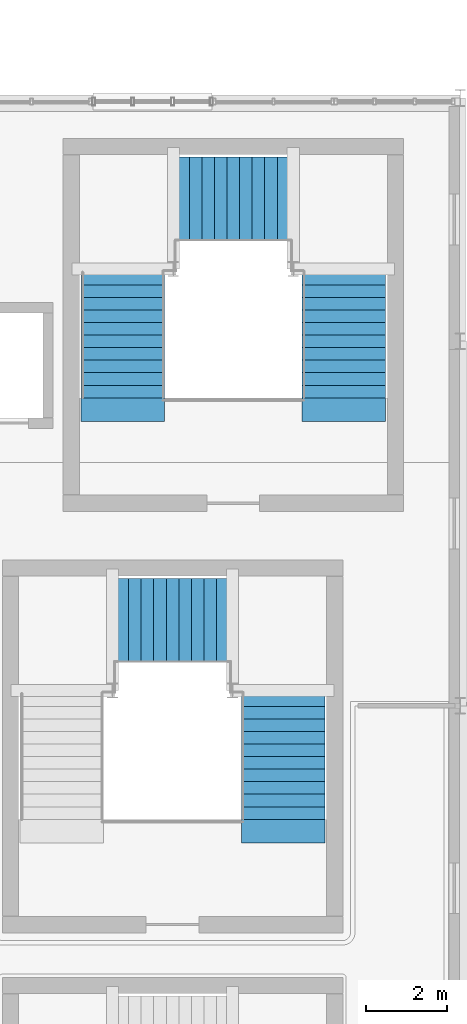
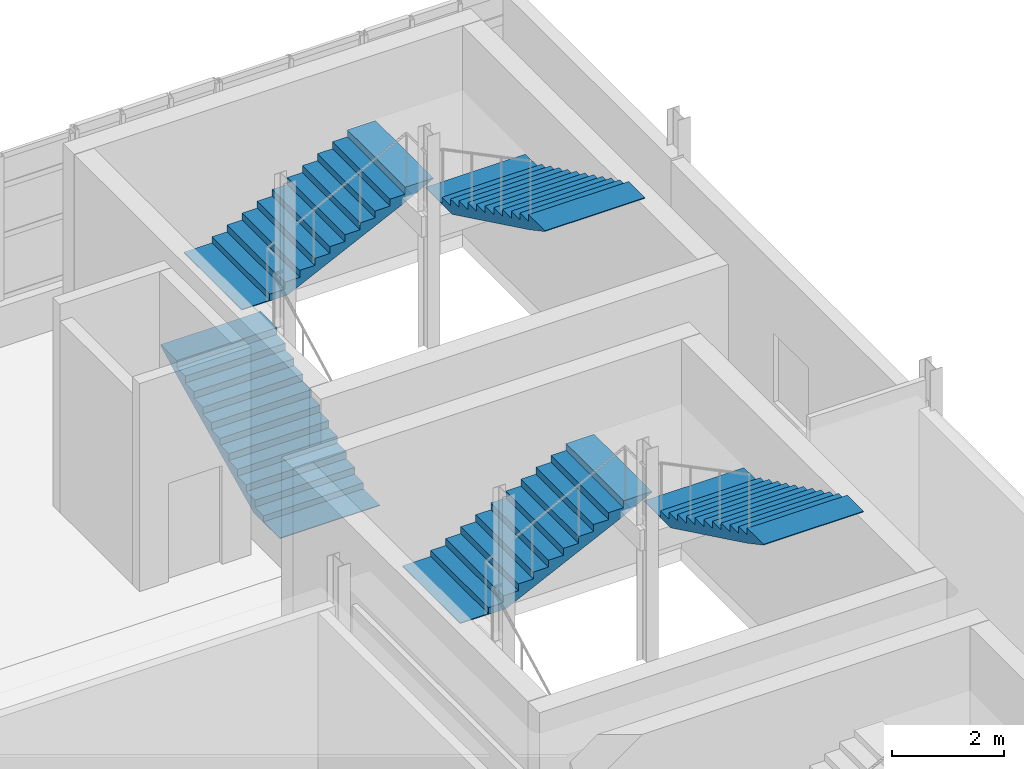
# One storey, part 119 of 127: 5 stair flights, 2 elements without a shape of their own.
"""IFC4 building model written with IfcOpenShell, lengths in metres."""

from ifc_helpers import new_model, si_unit, derived_unit, direction, frame, origin, place, context, subcontext, project, spatial, polyline, outline, extrude, material, type_object, element, aggregate, save


model = new_model("IFC4")

# Units and contexts
model_context = context("Model", 3, precision=1e-05, world=origin(), true_north=direction((0.0, 1.0)))
body_context = subcontext(model_context, "Body", "Model", "MODEL_VIEW")
ifc_project = project(units=[si_unit("LENGTHUNIT", "METRE"), si_unit("AREAUNIT", "SQUARE_METRE"), si_unit("VOLUMEUNIT", "CUBIC_METRE"), si_unit("PLANEANGLEUNIT", "RADIAN"), si_unit("MASSUNIT", "GRAM", prefix="KILO"), derived_unit("THERMALTRANSMITTANCEUNIT", [(si_unit("POWERUNIT", "WATT"), 1), (si_unit("LENGTHUNIT", "METRE"), -2), (si_unit("THERMODYNAMICTEMPERATUREUNIT", "KELVIN"), -1)])], contexts=[model_context])

# Site, building, storey
site_placement = place(None, origin())
site = spatial("IfcSite", under=ifc_project, at=site_placement, CompositionType="ELEMENT")
building_placement = place(site_placement, origin())
building = spatial("IfcBuilding", under=site, at=building_placement, Name="Nallur Shell Playhouse", CompositionType="ELEMENT")
storey_placement = place(building_placement, frame((0.0, 0.0, 5.39990234375)))
storey = spatial("IfcBuildingStorey", under=building, at=storey_placement, Name="L02", CompositionType="ELEMENT", Elevation=5.39990234375)

# Stair, stair flights
ifc_material = material(Name="Concrete M35", Category="concrete")
stair_type = type_object("IfcStairType", Name="ST-CORE-48", PredefinedType="QUARTER_TURN_STAIR", material=ifc_material)
stair_1_placement = place(storey_placement, origin())
stair_1 = element("IfcStair", 1, at=stair_1_placement, inside=storey, type_object=stair_type, Name="Core JC-5 exit stair ST-05-L02 (L02 to L03)", PredefinedType="QUARTER_TURN_STAIR")
stair_flight_type = type_object("IfcStairFlightType", Name="ST-FLIGHT-208", PredefinedType="STRAIGHT", material=ifc_material)
stair_flight_1_placement = place(storey_placement, frame((151.469970703125, 48.60009765625, 0.0), z_axis=(0.0, 0.0, 1.0), x_axis=(0.0, 1.0, 0.0)))
stair_flight_1 = element("IfcStairFlight", 2, at=stair_flight_1_placement, type_object=stair_flight_type, Name="ST-48 flight 1", NumberOfRisers=11, NumberOfTreads=10, PredefinedType="STRAIGHT", RiserHeight=0.15, TreadLength=0.31, context=body_context, shape_type="SweptSolid", body=[
    extrude(outline(polyline([(-0.580078125, 0.0), (-0.580078125, 0.01806640625), (0.0, 0.01806640625), (0.0, 0.14990234375), (0.31005859375, 0.14990234375), (0.31005859375, 0.300048828125), (0.6201171875, 0.300048828125), (0.6201171875, 0.449951171875), (0.929931640625, 0.449951171875), (0.929931640625, 0.60009765625), (1.239990234375, 0.60009765625), (1.239990234375, 0.75), (1.550048828125, 0.75), (1.550048828125, 0.89990234375), (1.860107421875, 0.89990234375), (1.860107421875, 1.050048828125), (2.169921875, 1.050048828125), (2.169921875, 1.199951171875), (2.47998046875, 1.199951171875), (2.47998046875, 1.35009765625), (2.7900390625, 1.35009765625), (2.7900390625, 1.5), (3.10009765625, 1.5), (3.10009765625, 1.64990234375), (3.68017578125, 1.64990234375), (3.68017578125, 1.6318359375), (3.10009765625, 1.322265625), (0.3671875, 0.0), (-0.580078125, 0.0)])), frame((0.0, 1.030029296875, 0.0), z_axis=(0.0, -1.0, 0.0), x_axis=(1.0, 0.0, 0.0)), (0.0, 0.0, 1.0), 2.06005859375),
])
stair_flight_2_placement = place(storey_placement, frame((152.804931640625, 53.510009765625, 1.650146484375), z_axis=(0.0, 0.0, 1.0), x_axis=(1.0, 0.0, 0.0)))
stair_flight_2 = element("IfcStairFlight", 3, at=stair_flight_2_placement, type_object=stair_flight_type, Name="ST-48 flight 2", NumberOfRisers=10, NumberOfTreads=9, PredefinedType="STRAIGHT", RiserHeight=0.15, TreadLength=0.31, context=body_context, shape_type="SweptSolid", body=[
    extrude(outline(polyline([(-0.580078125, 0.0), (-0.580078125, 0.01806640625), (0.0, 0.01806640625), (0.0, 0.14990234375), (0.31005859375, 0.14990234375), (0.31005859375, 0.300048828125), (0.6201171875, 0.300048828125), (0.6201171875, 0.449951171875), (0.929931640625, 0.449951171875), (0.929931640625, 0.60009765625), (1.239990234375, 0.60009765625), (1.239990234375, 0.75), (1.550048828125, 0.75), (1.550048828125, 0.89990234375), (1.860107421875, 0.89990234375), (1.860107421875, 1.050048828125), (2.169921875, 1.050048828125), (2.169921875, 1.199951171875), (2.47998046875, 1.199951171875), (2.47998046875, 1.35009765625), (2.7900390625, 1.35009765625), (2.7900390625, 1.5), (3.3701171875, 1.5), (3.3701171875, 1.48193359375), (2.7900390625, 1.17236328125), (0.3671875, 0.0), (-0.580078125, 0.0)])), frame((0.0, 1.030029296875, 0.0), z_axis=(0.0, -1.0, 0.0), x_axis=(1.0, 0.0, 0.0)), (0.0, 0.0, 1.0), 2.06005859375),
])
stair_flight_3_placement = place(storey_placement, frame((156.929931640625, 51.699951171875, 3.150146484375), z_axis=(0.0, 0.0, 1.0), x_axis=(0.0, -1.0, 0.0)))
stair_flight_3 = element("IfcStairFlight", 4, at=stair_flight_3_placement, type_object=stair_flight_type, Name="ST-48 flight 3", NumberOfRisers=11, NumberOfTreads=10, PredefinedType="STRAIGHT", RiserHeight=0.15, TreadLength=0.31, context=body_context, shape_type="SweptSolid", body=[
    extrude(outline(polyline([(-0.580078125, 0.0), (-0.580078125, 0.01806640625), (0.0, 0.01806640625), (0.0, 0.14990234375), (0.31005859375, 0.14990234375), (0.31005859375, 0.300048828125), (0.6201171875, 0.300048828125), (0.6201171875, 0.449951171875), (0.929931640625, 0.449951171875), (0.929931640625, 0.60009765625), (1.239990234375, 0.60009765625), (1.239990234375, 0.75), (1.550048828125, 0.75), (1.550048828125, 0.89990234375), (1.860107421875, 0.89990234375), (1.860107421875, 1.050048828125), (2.169921875, 1.050048828125), (2.169921875, 1.199951171875), (2.47998046875, 1.199951171875), (2.47998046875, 1.35009765625), (2.7900390625, 1.35009765625), (2.7900390625, 1.5), (3.10009765625, 1.5), (3.10009765625, 1.64990234375), (3.68017578125, 1.64990234375), (3.68017578125, 1.6318359375), (3.10009765625, 1.322265625), (0.3671875, 0.0), (-0.580078125, 0.0)])), frame((0.0, 1.030029296875, 0.0), z_axis=(0.0, -1.0, 0.0), x_axis=(1.0, 0.0, 0.0)), (0.0, 0.0, 1.0), 2.06005859375),
])
aggregate(stair_1, [stair_flight_1, stair_flight_2, stair_flight_3])

stair_2_placement = place(storey_placement, origin())
stair_2 = element("IfcStair", 5, at=stair_2_placement, inside=storey, type_object=stair_type, Name="Core JC-9 exit stair ST-09-L02 (L02 to L03)", PredefinedType="QUARTER_TURN_STAIR")
stair_flight_4_placement = place(storey_placement, frame((151.304931640625, 43.110107421875, 1.650146484375), z_axis=(0.0, 0.0, 1.0), x_axis=(1.0, 0.0, 0.0)))
stair_flight_4 = element("IfcStairFlight", 6, at=stair_flight_4_placement, type_object=stair_flight_type, Name="ST-48 flight 2", NumberOfRisers=10, NumberOfTreads=9, PredefinedType="STRAIGHT", RiserHeight=0.15, TreadLength=0.31, context=body_context, shape_type="SweptSolid", body=[
    extrude(outline(polyline([(-0.580078125, 0.0), (-0.580078125, 0.01806640625), (0.0, 0.01806640625), (0.0, 0.14990234375), (0.31005859375, 0.14990234375), (0.31005859375, 0.300048828125), (0.6201171875, 0.300048828125), (0.6201171875, 0.449951171875), (0.929931640625, 0.449951171875), (0.929931640625, 0.60009765625), (1.239990234375, 0.60009765625), (1.239990234375, 0.75), (1.550048828125, 0.75), (1.550048828125, 0.89990234375), (1.860107421875, 0.89990234375), (1.860107421875, 1.050048828125), (2.169921875, 1.050048828125), (2.169921875, 1.199951171875), (2.47998046875, 1.199951171875), (2.47998046875, 1.35009765625), (2.7900390625, 1.35009765625), (2.7900390625, 1.5), (3.3701171875, 1.5), (3.3701171875, 1.48193359375), (2.7900390625, 1.17236328125), (0.3671875, 0.0), (-0.580078125, 0.0)])), frame((0.0, 1.030029296875, 0.0), z_axis=(0.0, -1.0, 0.0), x_axis=(1.0, 0.0, 0.0)), (0.0, 0.0, 1.0), 2.06005859375),
])
stair_flight_5_placement = place(storey_placement, frame((155.429931640625, 41.300048828125, 3.150146484375), z_axis=(0.0, 0.0, 1.0), x_axis=(0.0, -1.0, 0.0)))
stair_flight_5 = element("IfcStairFlight", 7, at=stair_flight_5_placement, type_object=stair_flight_type, Name="ST-48 flight 3", NumberOfRisers=11, NumberOfTreads=10, PredefinedType="STRAIGHT", RiserHeight=0.15, TreadLength=0.31, context=body_context, shape_type="SweptSolid", body=[
    extrude(outline(polyline([(-0.580078125, 0.0), (-0.580078125, 0.01806640625), (0.0, 0.01806640625), (0.0, 0.14990234375), (0.31005859375, 0.14990234375), (0.31005859375, 0.300048828125), (0.6201171875, 0.300048828125), (0.6201171875, 0.449951171875), (0.929931640625, 0.449951171875), (0.929931640625, 0.60009765625), (1.239990234375, 0.60009765625), (1.239990234375, 0.75), (1.550048828125, 0.75), (1.550048828125, 0.89990234375), (1.860107421875, 0.89990234375), (1.860107421875, 1.050048828125), (2.169921875, 1.050048828125), (2.169921875, 1.199951171875), (2.47998046875, 1.199951171875), (2.47998046875, 1.35009765625), (2.7900390625, 1.35009765625), (2.7900390625, 1.5), (3.10009765625, 1.5), (3.10009765625, 1.64990234375), (3.68017578125, 1.64990234375), (3.68017578125, 1.6318359375), (3.10009765625, 1.322265625), (0.3671875, 0.0), (-0.580078125, 0.0)])), frame((0.0, 1.030029296875, 0.0), z_axis=(0.0, -1.0, 0.0), x_axis=(1.0, 0.0, 0.0)), (0.0, 0.0, 1.0), 2.06005859375),
])
aggregate(stair_2, [stair_flight_4, stair_flight_5])

save(model, "model.ifc")
